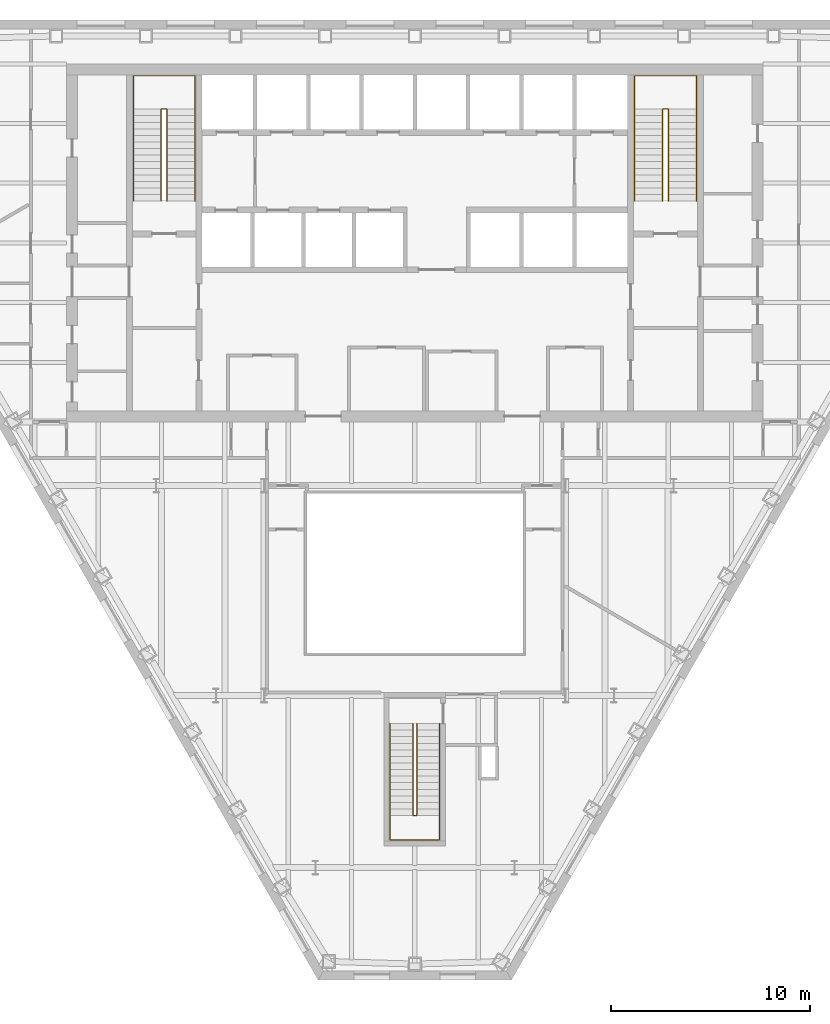
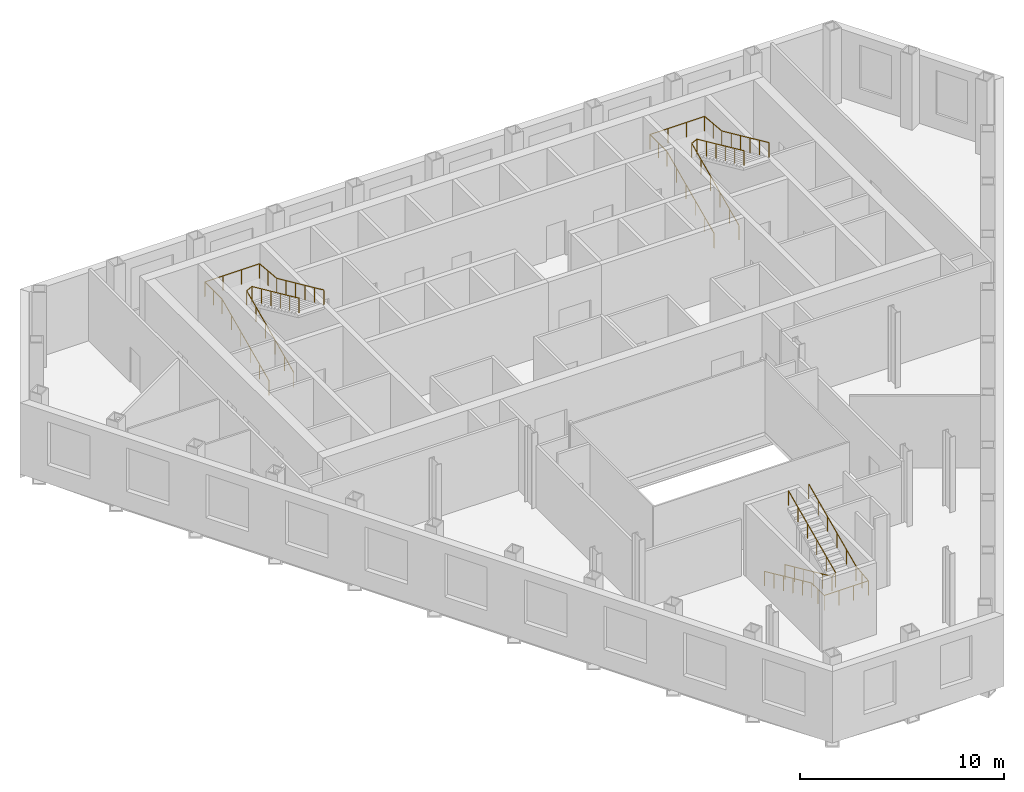
# One storey, part 12 of 12: 6 railings.
"""IFC4 building model written with IfcOpenShell, lengths in metres."""

from ifc_helpers import new_model, si_unit, direction, frame, origin, origin_2d, place, context, subcontext, project, spatial, circle, extrude, material, type_object, element, save


model = new_model("IFC4")

# Units and contexts
model_context = context("Model", 3, precision=1e-05, world=origin(), true_north=direction((0.0, 1.0)))
body_context = subcontext(model_context, "Body", "Model", "MODEL_VIEW")
ifc_project = project(units=[si_unit("LENGTHUNIT", "METRE"), si_unit("AREAUNIT", "SQUARE_METRE"), si_unit("VOLUMEUNIT", "CUBIC_METRE"), si_unit("PLANEANGLEUNIT", "RADIAN"), si_unit("MASSUNIT", "GRAM", prefix="KILO")], contexts=[model_context])

# Site, building, storey
site_placement = place(None, origin())
site = spatial("IfcSite", under=ifc_project, at=site_placement, CompositionType="ELEMENT")
building_placement = place(site_placement, origin())
building = spatial("IfcBuilding", under=site, at=building_placement, Name="Njiva Tower", CompositionType="ELEMENT")
storey_placement = place(building_placement, frame((0.0, 0.0, 111.3)))
storey = spatial("IfcBuildingStorey", under=building, at=storey_placement, Name="L23", CompositionType="ELEMENT", Elevation=111.3)

# Railings
ifc_material = material(Name="Stainless steel", Category="steel")
railing_type = type_object("IfcRailingType", Name="RL1 Stair handrail 900", PredefinedType="HANDRAIL", material=ifc_material)
railing_1_placement = place(storey_placement, frame((-14.15, 11.1, 0.15)))
element("IfcRailing", 1, at=railing_1_placement, inside=storey, type_object=railing_type, Name="Stair A handrail", PredefinedType="HANDRAIL", context=body_context, shape_type="SweptSolid", body=[
    extrude(circle(Radius=0.024, at=origin_2d()), frame((0.0, 0.0, 0.876), z_axis=(0.0, 0.910366477463, 0.413802944301), x_axis=(-1.0, 0.0, 0.0)), (0.0, 0.0, 1.0), 5.0749),
    extrude(circle(Radius=0.024, at=origin_2d()), frame((0.0, 4.62, 2.976), z_axis=(0.0, 1.0, 0.0), x_axis=(-1.0, 0.0, 0.0)), (0.0, 0.0, 1.0), 1.68),
    extrude(circle(Radius=0.024, at=origin_2d()), frame((0.0, 6.3, 2.976), z_axis=(1.0, 0.0, 0.0), x_axis=(0.0, 1.0, 0.0)), (0.0, 0.0, 1.0), 3.1),
    extrude(circle(Radius=0.024, at=origin_2d()), frame((3.1, 6.3, 2.976), z_axis=(0.0, -0.996037705314, 0.088931937975), x_axis=(1.0, 0.0, 0.0)), (0.0, 0.0, 1.0), 1.6867),
    extrude(circle(Radius=0.024, at=origin_2d()), frame((3.1, 4.62, 3.126), z_axis=(0.0, -0.910366477463, 0.413802944301), x_axis=(1.0, 0.0, 0.0)), (0.0, 0.0, 1.0), 5.0749),
    extrude(circle(Radius=0.021, at=origin_2d()), origin(), (0.0, 0.0, 1.0), 0.852),
    extrude(circle(Radius=0.021, at=origin_2d()), frame((0.0, 0.924, 0.42)), (0.0, 0.0, 1.0), 0.852),
    extrude(circle(Radius=0.021, at=origin_2d()), frame((0.0, 1.848, 0.84)), (0.0, 0.0, 1.0), 0.852),
    extrude(circle(Radius=0.021, at=origin_2d()), frame((0.0, 2.772, 1.26)), (0.0, 0.0, 1.0), 0.852),
    extrude(circle(Radius=0.021, at=origin_2d()), frame((0.0, 3.696, 1.68)), (0.0, 0.0, 1.0), 0.852),
    extrude(circle(Radius=0.021, at=origin_2d()), frame((0.0, 4.62, 2.1)), (0.0, 0.0, 1.0), 0.852),
    extrude(circle(Radius=0.021, at=origin_2d()), frame((0.0, 5.46, 2.1)), (0.0, 0.0, 1.0), 0.852),
    extrude(circle(Radius=0.021, at=origin_2d()), frame((0.0, 6.3, 2.1)), (0.0, 0.0, 1.0), 0.852),
    extrude(circle(Radius=0.021, at=origin_2d()), frame((1.0333, 6.3, 2.1)), (0.0, 0.0, 1.0), 0.852),
    extrude(circle(Radius=0.021, at=origin_2d()), frame((2.0667, 6.3, 2.1)), (0.0, 0.0, 1.0), 0.852),
    extrude(circle(Radius=0.021, at=origin_2d()), frame((3.1, 6.3, 2.1)), (0.0, 0.0, 1.0), 0.852),
    extrude(circle(Radius=0.021, at=origin_2d()), frame((3.1, 5.46, 2.175)), (0.0, 0.0, 1.0), 0.852),
    extrude(circle(Radius=0.021, at=origin_2d()), frame((3.1, 4.62, 2.25)), (0.0, 0.0, 1.0), 0.852),
    extrude(circle(Radius=0.021, at=origin_2d()), frame((3.1, 3.696, 2.67)), (0.0, 0.0, 1.0), 0.852),
    extrude(circle(Radius=0.021, at=origin_2d()), frame((3.1, 2.772, 3.09)), (0.0, 0.0, 1.0), 0.852),
    extrude(circle(Radius=0.021, at=origin_2d()), frame((3.1, 1.848, 3.51)), (0.0, 0.0, 1.0), 0.852),
    extrude(circle(Radius=0.021, at=origin_2d()), frame((3.1, 0.924, 3.93)), (0.0, 0.0, 1.0), 0.852),
    extrude(circle(Radius=0.021, at=origin_2d()), frame((3.1, 0.0, 4.35)), (0.0, 0.0, 1.0), 0.852),
])
railing_2_placement = place(storey_placement, frame((-12.75, 11.1, 0.15)))
element("IfcRailing", 2, at=railing_2_placement, inside=storey, type_object=railing_type, Name="Stair A handrail", PredefinedType="HANDRAIL", context=body_context, shape_type="SweptSolid", body=[
    extrude(circle(Radius=0.024, at=origin_2d()), frame((0.0, 0.0, 0.876), z_axis=(0.0, 0.910366477463, 0.413802944301), x_axis=(-1.0, 0.0, 0.0)), (0.0, 0.0, 1.0), 5.0749),
    extrude(circle(Radius=0.024, at=origin_2d()), frame((0.0, 4.62, 2.976), z_axis=(0.894427191, 0.0, 0.4472135955), x_axis=(0.0, 1.0, 0.0)), (0.0, 0.0, 1.0), 0.3354),
    extrude(circle(Radius=0.024, at=origin_2d()), frame((0.3, 4.62, 3.126), z_axis=(0.0, -0.910366477463, 0.413802944301), x_axis=(1.0, 0.0, 0.0)), (0.0, 0.0, 1.0), 5.0749),
    extrude(circle(Radius=0.021, at=origin_2d()), origin(), (0.0, 0.0, 1.0), 0.852),
    extrude(circle(Radius=0.021, at=origin_2d()), frame((0.0, 0.924, 0.42)), (0.0, 0.0, 1.0), 0.852),
    extrude(circle(Radius=0.021, at=origin_2d()), frame((0.0, 1.848, 0.84)), (0.0, 0.0, 1.0), 0.852),
    extrude(circle(Radius=0.021, at=origin_2d()), frame((0.0, 2.772, 1.26)), (0.0, 0.0, 1.0), 0.852),
    extrude(circle(Radius=0.021, at=origin_2d()), frame((0.0, 3.696, 1.68)), (0.0, 0.0, 1.0), 0.852),
    extrude(circle(Radius=0.021, at=origin_2d()), frame((0.0, 4.62, 2.1)), (0.0, 0.0, 1.0), 0.852),
    extrude(circle(Radius=0.021, at=origin_2d()), frame((0.3, 4.62, 2.25)), (0.0, 0.0, 1.0), 0.852),
    extrude(circle(Radius=0.021, at=origin_2d()), frame((0.3, 3.696, 2.67)), (0.0, 0.0, 1.0), 0.852),
    extrude(circle(Radius=0.021, at=origin_2d()), frame((0.3, 2.772, 3.09)), (0.0, 0.0, 1.0), 0.852),
    extrude(circle(Radius=0.021, at=origin_2d()), frame((0.3, 1.848, 3.51)), (0.0, 0.0, 1.0), 0.852),
    extrude(circle(Radius=0.021, at=origin_2d()), frame((0.3, 0.924, 3.93)), (0.0, 0.0, 1.0), 0.852),
    extrude(circle(Radius=0.021, at=origin_2d()), frame((0.3, 0.0, 4.35)), (0.0, 0.0, 1.0), 0.852),
])
railing_3_placement = place(storey_placement, frame((11.05, 11.1, 0.15)))
element("IfcRailing", 3, at=railing_3_placement, inside=storey, type_object=railing_type, Name="Stair B handrail", PredefinedType="HANDRAIL", context=body_context, shape_type="SweptSolid", body=[
    extrude(circle(Radius=0.024, at=origin_2d()), frame((0.0, 0.0, 0.876), z_axis=(0.0, 0.910366477463, 0.413802944301), x_axis=(-1.0, 0.0, 0.0)), (0.0, 0.0, 1.0), 5.0749),
    extrude(circle(Radius=0.024, at=origin_2d()), frame((0.0, 4.62, 2.976), z_axis=(0.0, 1.0, 0.0), x_axis=(-1.0, 0.0, 0.0)), (0.0, 0.0, 1.0), 1.68),
    extrude(circle(Radius=0.024, at=origin_2d()), frame((0.0, 6.3, 2.976), z_axis=(1.0, 0.0, 0.0), x_axis=(0.0, 1.0, 0.0)), (0.0, 0.0, 1.0), 3.1),
    extrude(circle(Radius=0.024, at=origin_2d()), frame((3.1, 6.3, 2.976), z_axis=(0.0, -0.996037705314, 0.088931937975), x_axis=(1.0, 0.0, 0.0)), (0.0, 0.0, 1.0), 1.6867),
    extrude(circle(Radius=0.024, at=origin_2d()), frame((3.1, 4.62, 3.126), z_axis=(0.0, -0.910366477463, 0.413802944301), x_axis=(1.0, 0.0, 0.0)), (0.0, 0.0, 1.0), 5.0749),
    extrude(circle(Radius=0.021, at=origin_2d()), origin(), (0.0, 0.0, 1.0), 0.852),
    extrude(circle(Radius=0.021, at=origin_2d()), frame((0.0, 0.924, 0.42)), (0.0, 0.0, 1.0), 0.852),
    extrude(circle(Radius=0.021, at=origin_2d()), frame((0.0, 1.848, 0.84)), (0.0, 0.0, 1.0), 0.852),
    extrude(circle(Radius=0.021, at=origin_2d()), frame((0.0, 2.772, 1.26)), (0.0, 0.0, 1.0), 0.852),
    extrude(circle(Radius=0.021, at=origin_2d()), frame((0.0, 3.696, 1.68)), (0.0, 0.0, 1.0), 0.852),
    extrude(circle(Radius=0.021, at=origin_2d()), frame((0.0, 4.62, 2.1)), (0.0, 0.0, 1.0), 0.852),
    extrude(circle(Radius=0.021, at=origin_2d()), frame((0.0, 5.46, 2.1)), (0.0, 0.0, 1.0), 0.852),
    extrude(circle(Radius=0.021, at=origin_2d()), frame((0.0, 6.3, 2.1)), (0.0, 0.0, 1.0), 0.852),
    extrude(circle(Radius=0.021, at=origin_2d()), frame((1.0333, 6.3, 2.1)), (0.0, 0.0, 1.0), 0.852),
    extrude(circle(Radius=0.021, at=origin_2d()), frame((2.0667, 6.3, 2.1)), (0.0, 0.0, 1.0), 0.852),
    extrude(circle(Radius=0.021, at=origin_2d()), frame((3.1, 6.3, 2.1)), (0.0, 0.0, 1.0), 0.852),
    extrude(circle(Radius=0.021, at=origin_2d()), frame((3.1, 5.46, 2.175)), (0.0, 0.0, 1.0), 0.852),
    extrude(circle(Radius=0.021, at=origin_2d()), frame((3.1, 4.62, 2.25)), (0.0, 0.0, 1.0), 0.852),
    extrude(circle(Radius=0.021, at=origin_2d()), frame((3.1, 3.696, 2.67)), (0.0, 0.0, 1.0), 0.852),
    extrude(circle(Radius=0.021, at=origin_2d()), frame((3.1, 2.772, 3.09)), (0.0, 0.0, 1.0), 0.852),
    extrude(circle(Radius=0.021, at=origin_2d()), frame((3.1, 1.848, 3.51)), (0.0, 0.0, 1.0), 0.852),
    extrude(circle(Radius=0.021, at=origin_2d()), frame((3.1, 0.924, 3.93)), (0.0, 0.0, 1.0), 0.852),
    extrude(circle(Radius=0.021, at=origin_2d()), frame((3.1, 0.0, 4.35)), (0.0, 0.0, 1.0), 0.852),
])
railing_4_placement = place(storey_placement, frame((12.45, 11.1, 0.15)))
element("IfcRailing", 4, at=railing_4_placement, inside=storey, type_object=railing_type, Name="Stair B handrail", PredefinedType="HANDRAIL", context=body_context, shape_type="SweptSolid", body=[
    extrude(circle(Radius=0.024, at=origin_2d()), frame((0.0, 0.0, 0.876), z_axis=(0.0, 0.910366477463, 0.413802944301), x_axis=(-1.0, 0.0, 0.0)), (0.0, 0.0, 1.0), 5.0749),
    extrude(circle(Radius=0.024, at=origin_2d()), frame((0.0, 4.62, 2.976), z_axis=(0.894427191, 0.0, 0.4472135955), x_axis=(0.0, 1.0, 0.0)), (0.0, 0.0, 1.0), 0.3354),
    extrude(circle(Radius=0.024, at=origin_2d()), frame((0.3, 4.62, 3.126), z_axis=(0.0, -0.910366477463, 0.413802944301), x_axis=(1.0, 0.0, 0.0)), (0.0, 0.0, 1.0), 5.0749),
    extrude(circle(Radius=0.021, at=origin_2d()), origin(), (0.0, 0.0, 1.0), 0.852),
    extrude(circle(Radius=0.021, at=origin_2d()), frame((0.0, 0.924, 0.42)), (0.0, 0.0, 1.0), 0.852),
    extrude(circle(Radius=0.021, at=origin_2d()), frame((0.0, 1.848, 0.84)), (0.0, 0.0, 1.0), 0.852),
    extrude(circle(Radius=0.021, at=origin_2d()), frame((0.0, 2.772, 1.26)), (0.0, 0.0, 1.0), 0.852),
    extrude(circle(Radius=0.021, at=origin_2d()), frame((0.0, 3.696, 1.68)), (0.0, 0.0, 1.0), 0.852),
    extrude(circle(Radius=0.021, at=origin_2d()), frame((0.0, 4.62, 2.1)), (0.0, 0.0, 1.0), 0.852),
    extrude(circle(Radius=0.021, at=origin_2d()), frame((0.3, 4.62, 2.25)), (0.0, 0.0, 1.0), 0.852),
    extrude(circle(Radius=0.021, at=origin_2d()), frame((0.3, 3.696, 2.67)), (0.0, 0.0, 1.0), 0.852),
    extrude(circle(Radius=0.021, at=origin_2d()), frame((0.3, 2.772, 3.09)), (0.0, 0.0, 1.0), 0.852),
    extrude(circle(Radius=0.021, at=origin_2d()), frame((0.3, 1.848, 3.51)), (0.0, 0.0, 1.0), 0.852),
    extrude(circle(Radius=0.021, at=origin_2d()), frame((0.3, 0.924, 3.93)), (0.0, 0.0, 1.0), 0.852),
    extrude(circle(Radius=0.021, at=origin_2d()), frame((0.3, 0.0, 4.35)), (0.0, 0.0, 1.0), 0.852),
])
railing_5_placement = place(storey_placement, frame((-1.25, -15.16, 0.15)))
element("IfcRailing", 5, at=railing_5_placement, inside=storey, type_object=railing_type, Name="Stair C handrail", PredefinedType="HANDRAIL", context=body_context, shape_type="SweptSolid", body=[
    extrude(circle(Radius=0.024, at=origin_2d()), frame((0.0, 0.0, 0.876), z_axis=(0.0, -0.910366477463, 0.413802944301), x_axis=(1.0, 0.0, 0.0)), (0.0, 0.0, 1.0), 5.0749),
    extrude(circle(Radius=0.024, at=origin_2d()), frame((0.0, -4.62, 2.976), z_axis=(0.0, -1.0, 0.0), x_axis=(1.0, 0.0, 0.0)), (0.0, 0.0, 1.0), 1.22),
    extrude(circle(Radius=0.024, at=origin_2d()), frame((0.0, -5.84, 2.976), z_axis=(1.0, 0.0, 0.0), x_axis=(0.0, 1.0, 0.0)), (0.0, 0.0, 1.0), 2.5),
    extrude(circle(Radius=0.024, at=origin_2d()), frame((2.5, -5.84, 2.976), z_axis=(0.0, 0.992526177815, 0.122031907108), x_axis=(-1.0, 0.0, 0.0)), (0.0, 0.0, 1.0), 1.2292),
    extrude(circle(Radius=0.024, at=origin_2d()), frame((2.5, -4.62, 3.126), z_axis=(0.0, 0.910366477463, 0.413802944301), x_axis=(-1.0, 0.0, 0.0)), (0.0, 0.0, 1.0), 5.0749),
    extrude(circle(Radius=0.021, at=origin_2d()), origin(), (0.0, 0.0, 1.0), 0.852),
    extrude(circle(Radius=0.021, at=origin_2d()), frame((0.0, -0.924, 0.42)), (0.0, 0.0, 1.0), 0.852),
    extrude(circle(Radius=0.021, at=origin_2d()), frame((0.0, -1.848, 0.84)), (0.0, 0.0, 1.0), 0.852),
    extrude(circle(Radius=0.021, at=origin_2d()), frame((0.0, -2.772, 1.26)), (0.0, 0.0, 1.0), 0.852),
    extrude(circle(Radius=0.021, at=origin_2d()), frame((0.0, -3.696, 1.68)), (0.0, 0.0, 1.0), 0.852),
    extrude(circle(Radius=0.021, at=origin_2d()), frame((0.0, -4.62, 2.1)), (0.0, 0.0, 1.0), 0.852),
    extrude(circle(Radius=0.021, at=origin_2d()), frame((0.0, -5.23, 2.1)), (0.0, 0.0, 1.0), 0.852),
    extrude(circle(Radius=0.021, at=origin_2d()), frame((0.0, -5.84, 2.1)), (0.0, 0.0, 1.0), 0.852),
    extrude(circle(Radius=0.021, at=origin_2d()), frame((0.8333, -5.84, 2.1)), (0.0, 0.0, 1.0), 0.852),
    extrude(circle(Radius=0.021, at=origin_2d()), frame((1.6667, -5.84, 2.1)), (0.0, 0.0, 1.0), 0.852),
    extrude(circle(Radius=0.021, at=origin_2d()), frame((2.5, -5.84, 2.1)), (0.0, 0.0, 1.0), 0.852),
    extrude(circle(Radius=0.021, at=origin_2d()), frame((2.5, -5.23, 2.175)), (0.0, 0.0, 1.0), 0.852),
    extrude(circle(Radius=0.021, at=origin_2d()), frame((2.5, -4.62, 2.25)), (0.0, 0.0, 1.0), 0.852),
    extrude(circle(Radius=0.021, at=origin_2d()), frame((2.5, -3.696, 2.67)), (0.0, 0.0, 1.0), 0.852),
    extrude(circle(Radius=0.021, at=origin_2d()), frame((2.5, -2.772, 3.09)), (0.0, 0.0, 1.0), 0.852),
    extrude(circle(Radius=0.021, at=origin_2d()), frame((2.5, -1.848, 3.51)), (0.0, 0.0, 1.0), 0.852),
    extrude(circle(Radius=0.021, at=origin_2d()), frame((2.5, -0.924, 3.93)), (0.0, 0.0, 1.0), 0.852),
    extrude(circle(Radius=0.021, at=origin_2d()), frame((2.5, 0.0, 4.35)), (0.0, 0.0, 1.0), 0.852),
])
railing_6_placement = place(storey_placement, frame((-0.1, -15.16, 0.15)))
element("IfcRailing", 6, at=railing_6_placement, inside=storey, type_object=railing_type, Name="Stair C handrail", PredefinedType="HANDRAIL", context=body_context, shape_type="SweptSolid", body=[
    extrude(circle(Radius=0.024, at=origin_2d()), frame((0.0, 0.0, 0.876), z_axis=(0.0, -0.910366477463, 0.413802944301), x_axis=(1.0, 0.0, 0.0)), (0.0, 0.0, 1.0), 5.0749),
    extrude(circle(Radius=0.024, at=origin_2d()), frame((0.0, -4.62, 2.976), z_axis=(0.8, 0.0, 0.6), x_axis=(0.0, 1.0, 0.0)), (0.0, 0.0, 1.0), 0.25),
    extrude(circle(Radius=0.024, at=origin_2d()), frame((0.2, -4.62, 3.126), z_axis=(0.0, 0.910366477463, 0.413802944301), x_axis=(-1.0, 0.0, 0.0)), (0.0, 0.0, 1.0), 5.0749),
    extrude(circle(Radius=0.021, at=origin_2d()), origin(), (0.0, 0.0, 1.0), 0.852),
    extrude(circle(Radius=0.021, at=origin_2d()), frame((0.0, -0.924, 0.42)), (0.0, 0.0, 1.0), 0.852),
    extrude(circle(Radius=0.021, at=origin_2d()), frame((0.0, -1.848, 0.84)), (0.0, 0.0, 1.0), 0.852),
    extrude(circle(Radius=0.021, at=origin_2d()), frame((0.0, -2.772, 1.26)), (0.0, 0.0, 1.0), 0.852),
    extrude(circle(Radius=0.021, at=origin_2d()), frame((0.0, -3.696, 1.68)), (0.0, 0.0, 1.0), 0.852),
    extrude(circle(Radius=0.021, at=origin_2d()), frame((0.0, -4.62, 2.1)), (0.0, 0.0, 1.0), 0.852),
    extrude(circle(Radius=0.021, at=origin_2d()), frame((0.2, -4.62, 2.25)), (0.0, 0.0, 1.0), 0.852),
    extrude(circle(Radius=0.021, at=origin_2d()), frame((0.2, -3.696, 2.67)), (0.0, 0.0, 1.0), 0.852),
    extrude(circle(Radius=0.021, at=origin_2d()), frame((0.2, -2.772, 3.09)), (0.0, 0.0, 1.0), 0.852),
    extrude(circle(Radius=0.021, at=origin_2d()), frame((0.2, -1.848, 3.51)), (0.0, 0.0, 1.0), 0.852),
    extrude(circle(Radius=0.021, at=origin_2d()), frame((0.2, -0.924, 3.93)), (0.0, 0.0, 1.0), 0.852),
    extrude(circle(Radius=0.021, at=origin_2d()), frame((0.2, 0.0, 4.35)), (0.0, 0.0, 1.0), 0.852),
])

save(model, "model.ifc")
